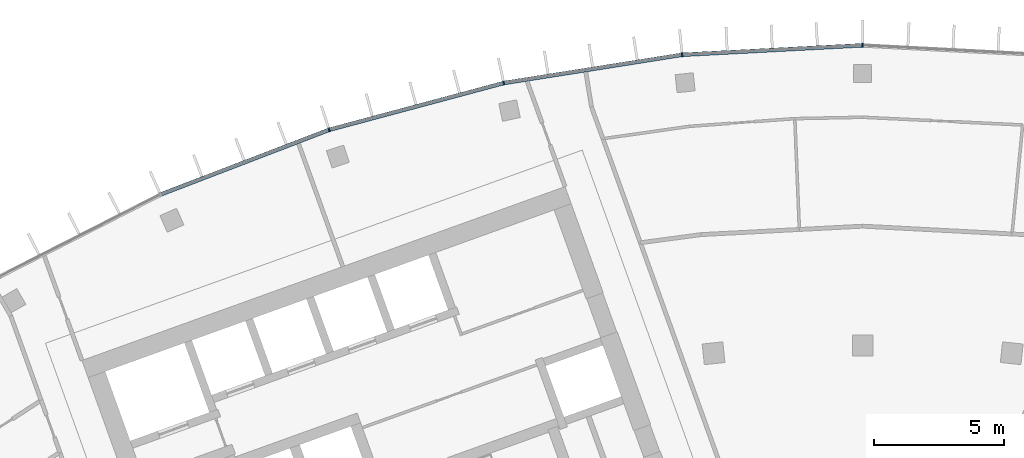
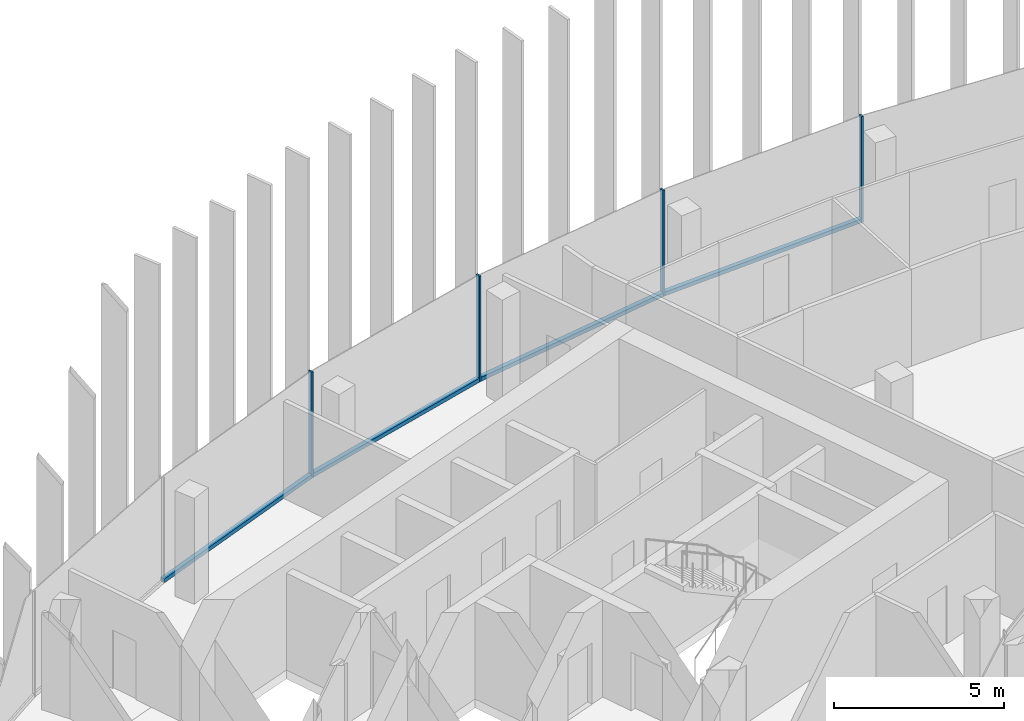
# One storey, part 6 of 18: 8 members, 1 element without a shape of its own.
"""IFC4 building model written with IfcOpenShell, lengths in metres."""

from ifc_helpers import new_model, si_unit, direction, frame, origin, origin_2d, place, context, subcontext, project, spatial, rectangle, extrude, material, layer, layer_set, material_profile, profile_set, type_object, element, aggregate, save


model = new_model("IFC4")

# Units and contexts
model_context = context("Model", 3, precision=1e-05, world=origin(), true_north=direction((0.0, 1.0)))
body_context = subcontext(model_context, "Body", "Model", "MODEL_VIEW")
ifc_project = project(units=[si_unit("LENGTHUNIT", "METRE"), si_unit("AREAUNIT", "SQUARE_METRE"), si_unit("VOLUMEUNIT", "CUBIC_METRE"), si_unit("PLANEANGLEUNIT", "RADIAN"), si_unit("MASSUNIT", "GRAM", prefix="KILO")], contexts=[model_context])

# Site, building, storey
site_placement = place(None, origin())
site = spatial("IfcSite", under=ifc_project, at=site_placement, CompositionType="ELEMENT")
building_placement = place(site_placement, origin())
building = spatial("IfcBuilding", under=site, at=building_placement, Name="Stone Belt Terrace Tower", CompositionType="ELEMENT")
storey_placement = place(building_placement, frame((0.0, 0.0, 269.39990234375)))
storey = spatial("IfcBuildingStorey", under=building, at=storey_placement, Name="L65", CompositionType="ELEMENT", Elevation=269.39990234375)

# Curtain wall, members
ifc_material = material(Name="Aluminium 6063-T6 anodised frame", Category="aluminium")
ifc_layer = layer(ifc_material, 0.14990234375)
ifc_layer_set = layer_set([ifc_layer], Name="CW-A unitised convex-face curtain wall")
curtain_wall_type = type_object("IfcCurtainWallType", Name="CW-A unitised convex-face curtain wall", PredefinedType="NOTDEFINED", material=ifc_layer_set)
curtain_wall_placement = place(storey_placement, origin())
curtain_wall = element("IfcCurtainWall", 1, at=curtain_wall_placement, inside=storey, type_object=curtain_wall_type, Name="CW-A convex face L65", PredefinedType="NOTDEFINED")
ifc_material_profile_1 = material_profile(ifc_material, rectangle(XDim=0.14990234375, YDim=0.06005859375, at=origin_2d()), Name="Aluminium 6063-T6 60x150")
ifc_profile_set_1 = profile_set([ifc_material_profile_1], Name="Aluminium 6063-T6 anodised frame")
member_type_1 = type_object("IfcMemberType", Name="CW-A mullion 60 x 150", PredefinedType="MULLION", material=ifc_profile_set_1)
member_1_placement = place(storey_placement, frame((0.0, 66.5751953125, 0.0), z_axis=(0.0, 0.0, 1.0), x_axis=(0.0, -1.0, 0.0)))
member_1 = element("IfcMember", 2, at=member_1_placement, type_object=member_type_1, Name="CW-A mullion 8", PredefinedType="MULLION", context=body_context, shape_type="SweptSolid", body=[
    extrude(rectangle(XDim=0.14990234375, YDim=0.06005859375, at=origin_2d()), origin(), (0.0, 0.0, 1.0), 3.800048828125),
])
member_2_placement = place(storey_placement, frame((-6.958984375, 66.21044921875, 0.0), z_axis=(0.0, 0.0, 1.0), x_axis=(0.104528463268, -0.994521895368, 0.0)))
member_2 = element("IfcMember", 3, at=member_2_placement, type_object=member_type_1, Name="CW-A mullion 9", PredefinedType="MULLION", context=body_context, shape_type="SweptSolid", body=[
    extrude(rectangle(XDim=0.14990234375, YDim=0.06005859375, at=origin_2d()), origin(), (0.0, 0.0, 1.0), 3.800048828125),
])
member_3_placement = place(storey_placement, frame((-13.841796875, 65.120361328125, 0.0), z_axis=(0.0, 0.0, 1.0), x_axis=(0.207911690818, -0.978147600734, 0.0)))
member_3 = element("IfcMember", 4, at=member_3_placement, type_object=member_type_1, Name="CW-A mullion 10", PredefinedType="MULLION", context=body_context, shape_type="SweptSolid", body=[
    extrude(rectangle(XDim=0.14990234375, YDim=0.06005859375, at=origin_2d()), origin(), (0.0, 0.0, 1.0), 3.800048828125),
])
member_4_placement = place(storey_placement, frame((-20.57275390625, 63.316650390625, 0.0), z_axis=(0.0, 0.0, 1.0), x_axis=(0.309016994375, -0.951056516295, 0.0)))
member_4 = element("IfcMember", 5, at=member_4_placement, type_object=member_type_1, Name="CW-A mullion 11", PredefinedType="MULLION", context=body_context, shape_type="SweptSolid", body=[
    extrude(rectangle(XDim=0.14990234375, YDim=0.06005859375, at=origin_2d()), origin(), (0.0, 0.0, 1.0), 3.800048828125),
])
ifc_material_profile_2 = material_profile(ifc_material, rectangle(XDim=0.14990234375, YDim=0.139892578125, at=origin_2d()), Name="Aluminium 6063-T6 150x140")
ifc_profile_set_2 = profile_set([ifc_material_profile_2], Name="Aluminium 6063-T6 anodised frame")
member_type_2 = type_object("IfcMemberType", Name="CW-A transom 140 x 150", PredefinedType="USERDEFINED", material=ifc_profile_set_2)
member_5_placement = place(storey_placement, frame((-0.033935546875, 66.5732421875, 0.070068359375), z_axis=(-0.998630019135, -0.052326712899, 0.0), x_axis=(0.052326712899, -0.998630019135, 0.0)))
member_5 = element("IfcMember", 6, at=member_5_placement, type_object=member_type_2, Name="CW-A transom 8.1", ObjectType="TRANSOM", PredefinedType="USERDEFINED", context=body_context, shape_type="SweptSolid", body=[
    extrude(rectangle(XDim=0.14990234375, YDim=0.139892578125, at=origin_2d()), origin(), (0.0, 0.0, 1.0), 6.900634765625),
])
member_6_placement = place(storey_placement, frame((-6.992431640625, 66.205078125, 0.070068359375), z_axis=(-0.987687120531, -0.156442168027, 0.0), x_axis=(0.156442168027, -0.987687120531, 0.0)))
member_6 = element("IfcMember", 7, at=member_6_placement, type_object=member_type_2, Name="CW-A transom 9.1", ObjectType="TRANSOM", PredefinedType="USERDEFINED", context=body_context, shape_type="SweptSolid", body=[
    extrude(rectangle(XDim=0.14990234375, YDim=0.139892578125, at=origin_2d()), origin(), (0.0, 0.0, 1.0), 6.90087890625),
])
member_7_placement = place(storey_placement, frame((-13.87451171875, 65.111572265625, 0.070068359375), z_axis=(-0.965921835863, -0.258833937117, 0.0), x_axis=(0.258833937117, -0.965921835863, 0.0)))
member_7 = element("IfcMember", 8, at=member_7_placement, type_object=member_type_2, Name="CW-A transom 10.1", ObjectType="TRANSOM", PredefinedType="USERDEFINED", context=body_context, shape_type="SweptSolid", body=[
    extrude(rectangle(XDim=0.14990234375, YDim=0.139892578125, at=origin_2d()), origin(), (0.0, 0.0, 1.0), 6.900634765625),
])
member_8_placement = place(storey_placement, frame((-20.6044921875, 63.304443359375, 0.070068359375), z_axis=(-0.933585210269, -0.358355487146, 0.0), x_axis=(0.358355487146, -0.933585210269, 0.0)))
member_8 = element("IfcMember", 9, at=member_8_placement, type_object=member_type_2, Name="CW-A transom 11.1", ObjectType="TRANSOM", PredefinedType="USERDEFINED", context=body_context, shape_type="SweptSolid", body=[
    extrude(rectangle(XDim=0.14990234375, YDim=0.139892578125, at=origin_2d()), origin(), (0.0, 0.0, 1.0), 6.900634765625),
])
aggregate(curtain_wall, [member_1, member_2, member_3, member_4, member_5, member_6, member_7, member_8])

save(model, "model.ifc")
